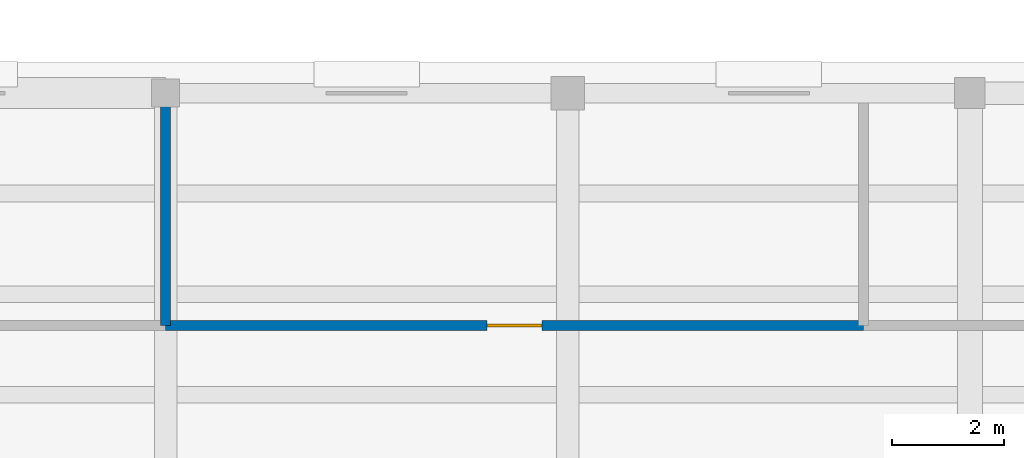
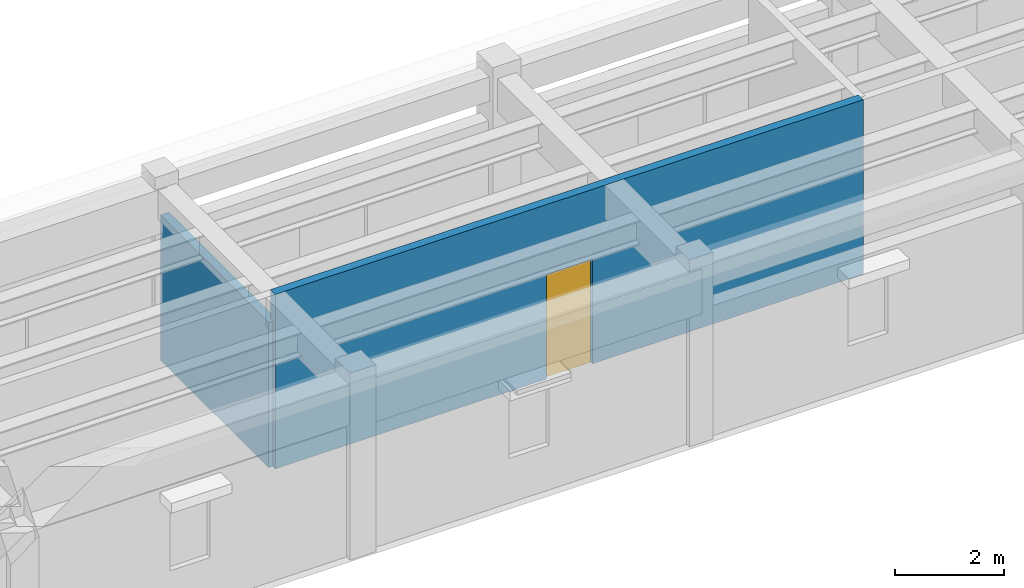
# One storey, part 11 of 22: 2 walls, 1 door, 1 opening.
"""IFC4 building model written with IfcOpenShell, lengths in metres."""

from ifc_helpers import new_model, si_unit, direction, frame, frame_2d, origin, place, context, subcontext, project, spatial, rectangle, extrude, material, layer, layer_set, type_object, element, fill, save


model = new_model("IFC4")

# Units and contexts
model_context = context("Model", 3, precision=1e-05, world=origin(), true_north=direction((0.0, 1.0)))
body_context = subcontext(model_context, "Body", "Model", "MODEL_VIEW")
ifc_project = project(units=[si_unit("LENGTHUNIT", "METRE"), si_unit("AREAUNIT", "SQUARE_METRE"), si_unit("VOLUMEUNIT", "CUBIC_METRE"), si_unit("PLANEANGLEUNIT", "RADIAN"), si_unit("MASSUNIT", "GRAM", prefix="KILO")], contexts=[model_context])

# Site, building, storey
site_placement = place(None, origin())
site = spatial("IfcSite", under=ifc_project, at=site_placement, CompositionType="ELEMENT")
building_placement = place(site_placement, origin())
building = spatial("IfcBuilding", under=site, at=building_placement, Name="Mithqara Police Headquarters", CompositionType="ELEMENT")
storey_placement = place(building_placement, frame((0.0, 0.0, 22.199951171875)))
storey = spatial("IfcBuildingStorey", under=building, at=storey_placement, Name="L05", CompositionType="ELEMENT", Elevation=22.199951171875)

# Wall
ifc_material_1 = material(Name="Concrete C40/50", Category="concrete")
ifc_layer = layer(ifc_material_1, 0.179931640625, Name="Concrete C40/50")
ifc_layer_set = layer_set([ifc_layer], Name="Concrete C40/50")
wall_type = type_object("IfcWallType", Name="PART WALL 180", PredefinedType="PARTITIONING", material=ifc_layer_set)
wall_1_placement = place(storey_placement, frame((58.199951171875, 81.639892578125, 0.0), z_axis=(0.0, 0.0, 1.0), x_axis=(0.0, 1.0, 0.0)))
element("IfcWall", 1, at=wall_1_placement, inside=storey, type_object=wall_type, Name="L05 Room Partition Internal Oversight Suite", PredefinedType="PARTITIONING", context=body_context, shape_type="SweptSolid", body=[
    extrude(rectangle(XDim=3.980224609375, YDim=0.179931640625, at=frame_2d((1.990234375, 0.0))), origin(), (0.0, 0.0, 1.0), 3.27001953125),
])

# Wall, opening, door
wall_2_placement = place(storey_placement, frame((58.199951171875, 81.639892578125, 0.0), z_axis=(0.0, 0.0, 1.0), x_axis=(1.0, 0.0, 0.0)))
wall_2 = element("IfcWall", 2, at=wall_2_placement, inside=storey, type_object=wall_type, Name="L05 Corridor Wall Professional Standards Hearing Room", PredefinedType="PARTITIONING", context=body_context, shape_type="SweptSolid", body=[
    extrude(rectangle(XDim=12.4951171875, YDim=0.179931640625, at=frame_2d((6.24755859375, 0.0))), origin(), (0.0, 0.0, 1.0), 3.920166015625),
])
opening_placement = place(wall_2_placement, frame((5.757568359375, 0.0, 0.0)))
opening = element("IfcOpeningElement", 3, at=opening_placement, cuts=wall_2, Name="Opening D-06", PredefinedType="OPENING", context=body_context, shape_type="SweptSolid", body=[
    extrude(rectangle(XDim=0.97998046875, YDim=2.35009765625, at=frame_2d((0.489990234375, 1.175048828125))), frame((0.0, 0.10009765625, 0.0), z_axis=(0.0, -1.0, 0.0), x_axis=(1.0, 0.0, 0.0)), (0.0, 0.0, 1.0), 0.199951171875),
])
ifc_material_2 = material(Name="Acoustic solid-core timber leaf", Category="wood")
door_type = type_object("IfcDoorType", Name="INT DOOR 980X2350", OperationType="NOTDEFINED", PredefinedType="DOOR", material=ifc_material_2)
door_placement = place(opening_placement, origin())
door = element("IfcDoor", 4, at=door_placement, inside=storey, type_object=door_type, Name="Professional Standards Hearing Room Entry Door", OperationType="SINGLE_SWING_LEFT", OverallHeight=2.35009765625, OverallWidth=0.97998046875, PredefinedType="DOOR", context=body_context, shape_type="SweptSolid", body=[
    extrude(rectangle(XDim=0.97998046875, YDim=2.35009765625, at=frame_2d((0.489990234375, 1.175048828125))), frame((0.0, 0.02490234375, 0.0), z_axis=(0.0, -1.0, 0.0), x_axis=(1.0, 0.0, 0.0)), (0.0, 0.0, 1.0), 0.050048828125),
])
fill(opening, door)

save(model, "model.ifc")
